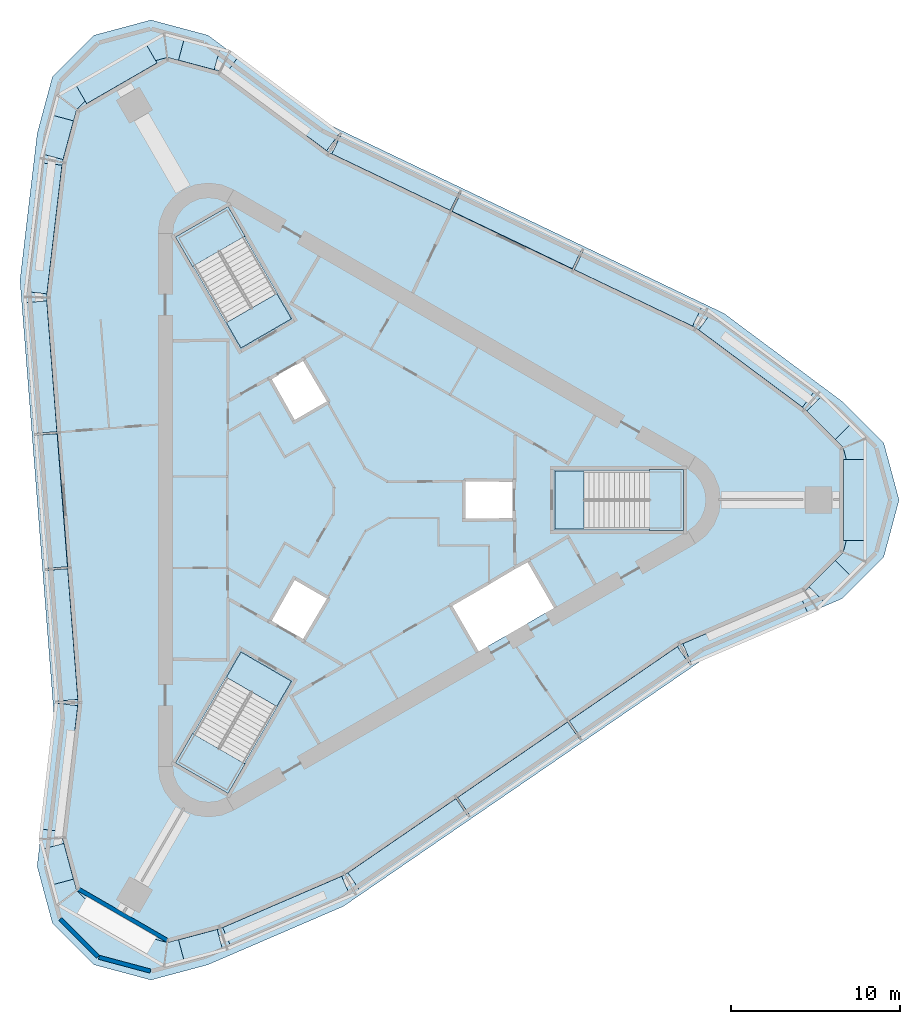
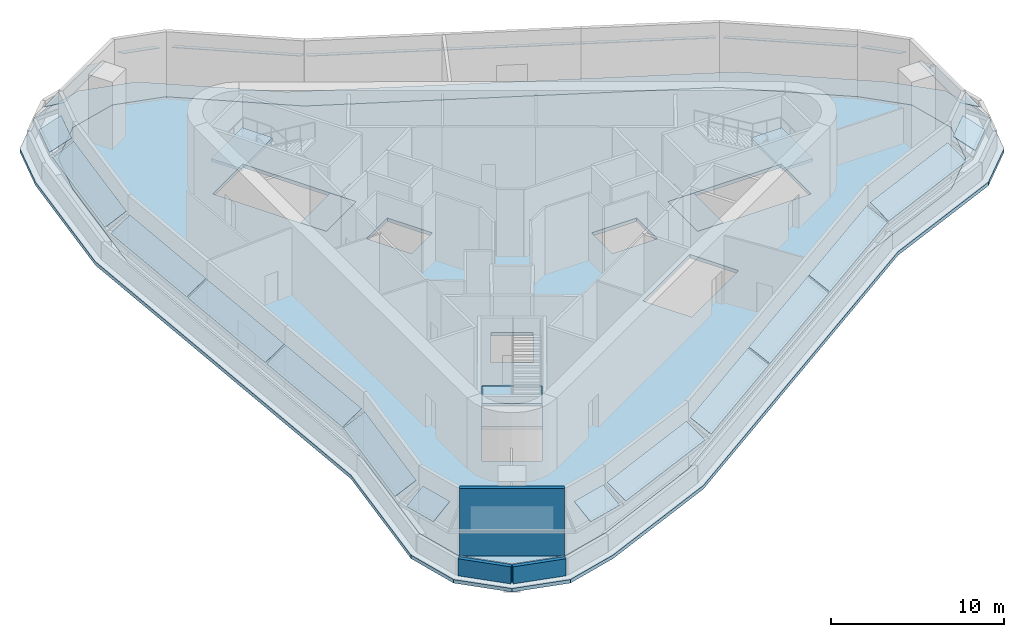
# One storey, part 3 of 8: 23 plates, 8 slabs, 3 walls, 4 elements without a shape of their own.
"""IFC4 building model written with IfcOpenShell, lengths in metres."""

from ifc_helpers import new_model, si_unit, direction, frame, frame_2d, origin, place, context, subcontext, project, spatial, polyline, rectangle, outline, extrude, material, layer, layer_set, type_object, element, aggregate, save


model = new_model("IFC4")

# Units and contexts
model_context = context("Model", 3, precision=1e-05, world=origin(), true_north=direction((0.0, 1.0)))
body_context = subcontext(model_context, "Body", "Model", "MODEL_VIEW")
ifc_project = project(units=[si_unit("LENGTHUNIT", "METRE"), si_unit("AREAUNIT", "SQUARE_METRE"), si_unit("VOLUMEUNIT", "CUBIC_METRE"), si_unit("PLANEANGLEUNIT", "RADIAN"), si_unit("MASSUNIT", "GRAM", prefix="KILO")], contexts=[model_context])

# Site, building, storey
site_placement = place(None, origin())
site = spatial("IfcSite", under=ifc_project, at=site_placement, CompositionType="ELEMENT")
building_placement = place(site_placement, origin())
building = spatial("IfcBuilding", under=site, at=building_placement, Name="Tanit Gate Tower", CompositionType="ELEMENT")
storey_placement = place(building_placement, frame((0.0, 0.0, 415.300048828125)))
storey = spatial("IfcBuildingStorey", under=building, at=storey_placement, Name="L94", CompositionType="ELEMENT", Elevation=415.300048828125)

# Slab
ifc_material_1 = material(Name="Concrete C35/45", Category="concrete")
ifc_layer_1 = layer(ifc_material_1, 0.25)
ifc_layer_set_1 = layer_set([ifc_layer_1], Name="CROWN FLOOR SLAB 250 C35/45")
slab_type_1 = type_object("IfcSlabType", Name="CROWN FLOOR SLAB 250 C35/45", PredefinedType="FLOOR", material=ifc_layer_set_1)
slab_1_placement = place(storey_placement, frame((0.0, 0.0, -0.25)))
element("IfcSlab", 1, at=slab_1_placement, inside=storey, type_object=slab_type_1, Name="FLOOR SLAB L94", PredefinedType="FLOOR", context=body_context, shape_type="SweptSolid", body=[
    extrude(outline(polyline([(26.15771484375, 5.375244140625), (28.429443359375, 3.103515625), (29.260986328125, 0.0), (28.429443359375, -3.103515625), (26.15771484375, -5.375244140625), (18.773681640625, -8.558349609375), (-1.039794921875, -22.15771484375), (-8.423583984375, -25.3408203125), (-11.527099609375, -26.17236328125), (-14.630615234375, -25.3408203125), (-16.90234375, -23.06884765625), (-17.73388671875, -19.965576171875), (-16.798583984375, -11.979248046875), (-18.669189453125, 11.979248046875), (-17.73388671875, 19.965576171875), (-16.90234375, 23.06884765625), (-14.630615234375, 25.3408203125), (-11.527099609375, 26.17236328125), (-8.423583984375, 25.3408203125), (-1.97509765625, 20.53759765625), (19.708984375, 10.178466796875), (26.15771484375, 5.375244140625)]), holes=[polyline([(11.3701171875, -1.72998046875), (11.3701171875, 1.72998046875), (18.929931640625, 1.72998046875), (18.929931640625, -1.72998046875), (11.3701171875, -1.72998046875)]), polyline([(9.82080078125, -3.510009765625), (11.44580078125, -6.324462890625), (6.76904296875, -9.0244140625), (5.14404296875, -6.2099609375), (9.82080078125, -3.510009765625)]), polyline([(6.0, -1.199951171875), (6.0, 1.199951171875), (9.0, 1.199951171875), (9.0, -1.199951171875), (6.0, -1.199951171875)]), polyline([(-1.960693359375, 5.796142578125), (-4.039306640625, 4.59619140625), (-5.539306640625, 7.194091796875), (-3.460693359375, 8.394287109375), (-1.960693359375, 5.796142578125)]), polyline([(-4.039306640625, -4.59619140625), (-1.960693359375, -5.796142578125), (-3.460693359375, -8.394287109375), (-5.539306640625, -7.194091796875), (-4.039306640625, -4.59619140625)]), polyline([(-4.186767578125, 10.711669921875), (-7.18310546875, 8.981689453125), (-10.963134765625, 15.52880859375), (-7.966796875, 17.2587890625), (-4.186767578125, 10.711669921875)]), polyline([(-7.18310546875, -8.981689453125), (-4.186767578125, -10.711669921875), (-7.966796875, -17.2587890625), (-10.963134765625, -15.52880859375), (-7.18310546875, -8.981689453125)])]), origin(), (0.0, 0.0, 1.0), 0.25),
])

# Curtain wall, plates
ifc_material_2 = material(Name="Aluminium bronze anodised and glass", Category="aluminium")
curtain_wall_type = type_object("IfcCurtainWallType", Name="Curtain wall crown roof", PredefinedType="NOTDEFINED", material=ifc_material_2)
curtain_wall_placement = place(storey_placement, origin())
curtain_wall = element("IfcCurtainWall", 2, at=curtain_wall_placement, inside=storey, type_object=curtain_wall_type, Name="Glass roof L94", PredefinedType="NOTDEFINED")
ifc_material_3 = material(Name="Glass tinted laminated safety", Category="glass")
ifc_layer_2 = layer(ifc_material_3, 0.033935546875)
ifc_layer_set_2 = layer_set([ifc_layer_2], Name="Glass panel 34 crown roof")
plate_type = type_object("IfcPlateType", Name="Glass panel 34 crown roof", PredefinedType="CURTAIN_PANEL", material=ifc_layer_set_2)
plate_1_placement = place(storey_placement, frame((26.028076171875, 5.48681640625, 3.498291015625), z_axis=(0.298682954604, 0.401021619781, 0.866008171496), x_axis=(-0.801995366836, 0.597330253356, 0.0)))
plate_1 = element("IfcPlate", 3, at=plate_1_placement, type_object=plate_type, Name="Roof glass panel L94 NE1.1", PredefinedType="CURTAIN_PANEL", context=body_context, shape_type="SweptSolid", body=[
    extrude(outline(polyline([(0.0, 0.0), (7.661858964183359, 0.0), (7.661982734394063, -1.5472709215163334), (0.0001237702107034222, -1.5472709215163334), (0.0, 0.0)])), origin(), (0.0, 0.0, -1.0), 0.033935546875),
])
plate_2_placement = place(storey_placement, frame((19.526123046875, 10.279052734375, 3.498291015625), z_axis=(0.215561586216, 0.451197748608, 0.865998726442), x_axis=(-0.90231211696, 0.431083337171, 0.0)))
plate_2 = element("IfcPlate", 4, at=plate_2_placement, type_object=plate_type, Name="Roof glass panel L94 NE2.1", PredefinedType="CURTAIN_PANEL", context=body_context, shape_type="SweptSolid", body=[
    extrude(outline(polyline([(0.0, 0.0), (7.753789136948641, 4.440892098500626e-16), (7.7537535453816755, -1.547220306748796), (-3.559156696621629e-05, -1.5472203067487964), (0.0, 0.0)])), origin(), (0.0, 0.0, -1.0), 0.033935546875),
])
plate_3_placement = place(storey_placement, frame((12.42138671875, 13.67333984375, 3.498291015625), z_axis=(0.215558237556, 0.451199348522, 0.865998726393), x_axis=(-0.902315316341, 0.431076640397, 0.0)))
plate_3 = element("IfcPlate", 5, at=plate_3_placement, type_object=plate_type, Name="Roof glass panel L94 NE2.2", PredefinedType="CURTAIN_PANEL", context=body_context, shape_type="SweptSolid", body=[
    extrude(outline(polyline([(0.0, 0.0), (7.89040014871947, 0.0), (7.890354612778081, -1.5472203064880827), (-4.55359413887671e-05, -1.547220306488083), (0.0, 0.0)])), origin(), (0.0, 0.0, -1.0), 0.033935546875),
])
plate_4_placement = place(storey_placement, frame((5.193359375, 17.12646484375, 3.498291015625), z_axis=(0.215541888443, 0.451172995663, 0.866016525426), x_axis=(-0.902322833185, 0.431060905992, 6.151361e-06)))
plate_4 = element("IfcPlate", 6, at=plate_4_placement, type_object=plate_type, Name="Roof glass panel L94 NE2.3", PredefinedType="CURTAIN_PANEL", context=body_context, shape_type="SweptSolid", body=[
    extrude(outline(polyline([(0.0, 0.0), (7.753683894927038, 0.0), (7.753715474614487, -1.547411082698643), (-7.365979155380482e-05, -1.5472203044245503), (0.0, 0.0)])), origin(), (0.0, 0.0, -1.0), 0.033935546875),
])
plate_5_placement = place(storey_placement, frame((-2.1162109375, 20.65771484375, 3.498291015625), z_axis=(0.298661918795, 0.400986400394, 0.866031734384), x_axis=(-0.801990388568, 0.597336937285, 0.0)))
plate_5 = element("IfcPlate", 7, at=plate_5_placement, type_object=plate_type, Name="Roof glass panel L94 NE3.1", PredefinedType="CURTAIN_PANEL", context=body_context, shape_type="SweptSolid", body=[
    extrude(outline(polyline([(0.0, 0.0), (7.504826633737003, 0.0), (7.504765772851707, -1.5473972159212432), (-6.086088529492606e-05, -1.547397215921243), (0.0, 0.0)])), origin(), (0.0, 0.0, -1.0), 0.033935546875),
])
plate_6_placement = place(storey_placement, frame((-8.759521484375, 25.443359375, 3.498291015625), z_axis=(0.129417577031, 0.482995428558, 0.86600606623), x_axis=(-0.96593660579, 0.258778811055, 2.3316626e-05)))
plate_6 = element("IfcPlate", 8, at=plate_6_placement, type_object=plate_type, Name="Roof glass panel L94 NW.arc1.1", PredefinedType="CURTAIN_PANEL", context=body_context, shape_type="SweptSolid", body=[
    extrude(outline(polyline([(0.0, 0.0), (2.189819427007829, 0.0), (2.1899027731030647, -1.5473617563359408), (2.016767456837035e-05, -1.5471575302671448), (0.0, 0.0)])), origin(), (0.0, 0.0, -1.0), 0.033935546875),
])
plate_7_placement = place(storey_placement, frame((-12.147216796875, 25.842529296875, 3.498291015625), z_axis=(-0.250002136933, 0.433043046767, 0.866009613789), x_axis=(-0.866033959567, -0.499985180627, 5.50272e-06)))
plate_7 = element("IfcPlate", 9, at=plate_7_placement, type_object=plate_type, Name="Roof glass panel L94 NW.arc2.1", PredefinedType="CURTAIN_PANEL", context=body_context, shape_type="SweptSolid", body=[
    extrude(outline(polyline([(0.0, 0.0), (4.802850294381906, -4.440892098500626e-16), (4.803049566200479, -1.547331507939051), (-1.2162253586579171e-05, -1.5472257964263334), (0.0, 0.0)])), origin(), (0.0, 0.0, -1.0), 0.033935546875),
])
plate_8_placement = place(storey_placement, frame((-17.087890625, 22.4228515625, 3.498291015625), z_axis=(-0.482944090124, 0.129413360896, 0.866035327129), x_axis=(-0.258835619593, -0.965921385015, 0.0)))
plate_8 = element("IfcPlate", 10, at=plate_8_placement, type_object=plate_type, Name="Roof glass panel L94 NW.arc3.1", PredefinedType="CURTAIN_PANEL", context=body_context, shape_type="SweptSolid", body=[
    extrude(outline(polyline([(0.0, 0.0), (2.3703282863063597, 0.0), (2.3702726630093656, -1.5474164756443836), (-5.562329699432267e-05, -1.5474164756443836), (0.0, 0.0)])), origin(), (0.0, 0.0, -1.0), 0.033935546875),
])
plate_9_placement = place(storey_placement, frame((-17.765625, 19.797607421875, 3.498291015625), z_axis=(-0.496613054817, 0.058160310441, 0.866021276918), x_axis=(-0.116329364541, -0.993210692104, -6.049393e-06)))
plate_9 = element("IfcPlate", 11, at=plate_9_placement, type_object=plate_type, Name="Roof glass panel L94 W1.1", PredefinedType="CURTAIN_PANEL", context=body_context, shape_type="SweptSolid", body=[
    extrude(outline(polyline([(0.0, 0.0), (7.6621311019287575, 1.1102230246251565e-16), (7.662001439914197, -1.5472484613650166), (0.00014122178833107308, -1.5474338604204265), (0.0, 0.0)])), origin(), (0.0, 0.0, -1.0), 0.033935546875),
])
plate_10_placement = place(storey_placement, frame((-18.6650390625, 11.770751953125, 3.498291015625), z_axis=(-0.498499156127, -0.038917695615, 0.866016168619), x_axis=(0.077832901287, -0.99696641843, 0.0)))
plate_10 = element("IfcPlate", 12, at=plate_10_placement, type_object=plate_type, Name="Roof glass panel L94 W2.1", PredefinedType="CURTAIN_PANEL", context=body_context, shape_type="SweptSolid", body=[
    extrude(outline(polyline([(0.0, 0.0), (7.753991114538738, 0.0), (7.753943024896617, -1.5473137813356024), (-4.808964212194011e-05, -1.5473137813356026), (0.0, 0.0)])), origin(), (0.0, 0.0, -1.0), 0.033935546875),
])
plate_11_placement = place(storey_placement, frame((-18.05224609375, 3.920654296875, 3.498291015625), z_axis=(-0.498530490508, -0.038919772477, 0.865998037725), x_axis=(0.077844599344, -0.996965505071, 7.200558e-06)))
plate_11 = element("IfcPlate", 13, at=plate_11_placement, type_object=plate_type, Name="Roof glass panel L94 W2.2", PredefinedType="CURTAIN_PANEL", context=body_context, shape_type="SweptSolid", body=[
    extrude(outline(polyline([(0.0, 0.0), (7.890401013387827, 1.1102230246251565e-16), (7.8905750294991694, -1.5473302387044363), (-5.0378641031635154e-05, -1.5471029958453535), (0.0, 0.0)])), origin(), (0.0, 0.0, -1.0), 0.033935546875),
])
plate_12_placement = place(storey_placement, frame((-17.4287109375, -4.0654296875, 3.498291015625), z_axis=(-0.498495235217, -0.038933747586, 0.866017704071), x_axis=(0.077864501776, -0.996963950884, -5.30807e-07)))
plate_12 = element("IfcPlate", 14, at=plate_12_placement, type_object=plate_type, Name="Roof glass panel L94 W2.3", PredefinedType="CURTAIN_PANEL", context=body_context, shape_type="SweptSolid", body=[
    extrude(outline(polyline([(0.0, 0.0), (7.754010120530637, 1.1102230246251565e-16), (7.753919968049472, -1.547313779449287), (0.00015324692090719946, -1.5473302422843584), (0.0, 0.0)])), origin(), (0.0, 0.0, -1.0), 0.033935546875),
])
plate_13_placement = place(storey_placement, frame((-16.83203125, -12.16162109375, 3.498291015625), z_axis=(-0.496609306897, 0.058158153248, 0.866023570992), x_axis=(-0.116327602109, -0.99321089852, -6.995436e-06)))
plate_13 = element("IfcPlate", 15, at=plate_13_placement, type_object=plate_type, Name="Roof glass panel L94 W3.1", PredefinedType="CURTAIN_PANEL", context=body_context, shape_type="SweptSolid", body=[
    extrude(outline(polyline([(0.0, 0.0), (7.504811876916927, 0.0), (7.504680569172868, -1.5472484609643669), (-0.00010290745057402317, -1.5474584569707739), (0.0, 0.0)])), origin(), (0.0, 0.0, -1.0), 0.033935546875),
])
plate_14_placement = place(storey_placement, frame((-17.65478515625, -20.3076171875, 3.498291015625), z_axis=(-0.482978347208, -0.129413000121, 0.866016276711), x_axis=(0.25885682286, -0.965915702696, 2.3315404e-05)))
plate_14 = element("IfcPlate", 16, at=plate_14_placement, type_object=plate_type, Name="Roof glass panel L94 SW.arc1.1", PredefinedType="CURTAIN_PANEL", context=body_context, shape_type="SweptSolid", body=[
    extrude(outline(polyline([(0.0, 0.0), (2.189882614951503, -1.1102230246251565e-16), (2.189890781996292, -1.5474164754993955), (7.136451130691422e-05, -1.5472122529156187), (0.0, 0.0)])), origin(), (0.0, 0.0, -1.0), 0.033935546875),
])
plate_15_placement = place(storey_placement, frame((-10.874755859375, -26.010009765625, 3.498291015625), z_axis=(0.129417937933, -0.482961170686, 0.866025117968), x_axis=(0.965921385015, 0.258835619593, 0.0)))
plate_15 = element("IfcPlate", 17, at=plate_15_placement, type_object=plate_type, Name="Roof glass panel L94 SW.arc3.1", PredefinedType="CURTAIN_PANEL", context=body_context, shape_type="SweptSolid", body=[
    extrude(outline(polyline([(0.0, 0.0), (2.3703282863063597, -1.1102230246251565e-16), (2.3701480889527153, -1.5473617492114577), (-0.00018019735364421807, -1.5473617492114577), (0.0, 0.0)])), origin(), (0.0, 0.0, -1.0), 0.033935546875),
])
plate_16_placement = place(storey_placement, frame((-8.26220703125, -25.284423828125, 3.498291015625), z_axis=(0.197952012445, -0.459174102273, 0.866010476017), x_axis=(0.918300719655, 0.39588355394, 0.0)))
plate_16 = element("IfcPlate", 18, at=plate_16_placement, type_object=plate_type, Name="Roof glass panel L94 SE1.1", PredefinedType="CURTAIN_PANEL", context=body_context, shape_type="SweptSolid", body=[
    extrude(outline(polyline([(0.0, 0.0), (7.661856863745806, 0.0), (7.661909195765645, -1.5472832719730827), (5.233201983987718e-05, -1.547283271973083), (0.0, 0.0)])), origin(), (0.0, 0.0, -1.0), 0.033935546875),
])
plate_17_placement = place(storey_placement, frame((-0.861328125, -22.0498046875, 3.498291015625), z_axis=(0.282961944788, -0.412265146955, 0.866008075255), x_axis=(0.824480804134, 0.565889921817, 0.0)))
plate_17 = element("IfcPlate", 19, at=plate_17_placement, type_object=plate_type, Name="Roof glass panel L94 SE2.1", PredefinedType="CURTAIN_PANEL", context=body_context, shape_type="SweptSolid", body=[
    extrude(outline(polyline([(0.0, 0.0), (7.754051245575646, 0.0), (7.754096529125013, -1.5472704057510631), (4.5283549366947895e-05, -1.5472704057510631), (0.0, 0.0)])), origin(), (0.0, 0.0, -1.0), 0.033935546875),
])
plate_18_placement = place(storey_placement, frame((5.630615234375, -17.593994140625, 3.498291015625), z_axis=(0.282946936166, -0.412241286421, 0.866024337466), x_axis=(0.824474113896, 0.565899669098, 5.523055e-06)))
plate_18 = element("IfcPlate", 20, at=plate_18_placement, type_object=plate_type, Name="Roof glass panel L94 SE2.2", PredefinedType="CURTAIN_PANEL", context=body_context, shape_type="SweptSolid", body=[
    extrude(outline(polyline([(0.0, 0.0), (7.890641274605442, -8.881784197001252e-16), (7.890528284581794, -1.5474447249916334), (2.5169075254154215e-05, -1.5472704053906776), (0.0, 0.0)])), origin(), (0.0, 0.0, -1.0), 0.033935546875),
])
plate_19_placement = place(storey_placement, frame((12.235107421875, -13.060791015625, 3.498291015625), z_axis=(0.282930068805, -0.412218704821, 0.866040596948), x_axis=(0.824480804134, 0.565889921817, 0.0)))
plate_19 = element("IfcPlate", 21, at=plate_19_placement, type_object=plate_type, Name="Roof glass panel L94 SE2.3", PredefinedType="CURTAIN_PANEL", context=body_context, shape_type="SweptSolid", body=[
    extrude(outline(polyline([(0.0, 0.0), (7.754051245575646, 0.0), (7.753958372405819, -1.5474447271479832), (-9.287316982673849e-05, -1.5474447271479832), (0.0, 0.0)])), origin(), (0.0, 0.0, -1.0), 0.033935546875),
])
plate_20_placement = place(storey_placement, frame((18.9482421875, -8.496337890625, 3.498291015625), z_axis=(0.197951429648, -0.459189081421, 0.866002666857), x_axis=(0.918307749738, 0.395867246389, -2.788309e-06)))
plate_20 = element("IfcPlate", 22, at=plate_20_placement, type_object=plate_type, Name="Roof glass panel L94 SE3.1", PredefinedType="CURTAIN_PANEL", context=body_context, shape_type="SweptSolid", body=[
    extrude(outline(polyline([(0.0, 0.0), (7.504936032387172, 8.881784197001252e-16), (7.504790120956988, -1.5471995742019755), (7.828479778081564e-05, -1.5472832706889716), (0.0, 0.0)])), origin(), (0.0, 0.0, -1.0), 0.033935546875),
])
plate_21_placement = place(storey_placement, frame((26.414306640625, -5.135498046875, 3.498291015625), z_axis=(0.353540309023, -0.353596054893, 0.866013325452), x_axis=(0.707162522527, 0.707051035451, 0.0)))
plate_21 = element("IfcPlate", 23, at=plate_21_placement, type_object=plate_type, Name="Roof glass panel L94 E.arc1.1", PredefinedType="CURTAIN_PANEL", context=body_context, shape_type="SweptSolid", body=[
    extrude(outline(polyline([(0.0, 0.0), (2.189855846490021, -1.1102230246251565e-16), (2.189961481583191, -1.547298543200666), (0.0001056350931701866, -1.5472985432006658), (0.0, 0.0)])), origin(), (0.0, 0.0, -1.0), 0.033935546875),
])
plate_22_placement = place(storey_placement, frame((28.453857421875, -2.4013671875, 3.498291015625), z_axis=(0.49999105083, 0.0, 0.866030570529), x_axis=(0.0, 1.0, 0.0)))
plate_22 = element("IfcPlate", 24, at=plate_22_placement, type_object=plate_type, Name="Roof glass panel L94 E.arc2.1", PredefinedType="CURTAIN_PANEL", context=body_context, shape_type="SweptSolid", body=[
    extrude(outline(polyline([(0.0, 0.0), (4.802734375, 0.0), (4.802734375, -1.5473909769802696), (0.0, -1.5473909769802696), (0.0, 0.0)])), origin(), (0.0, 0.0, -1.0), 0.033935546875),
])
plate_23_placement = place(storey_placement, frame((27.962890625, 3.587158203125, 3.498291015625), z_axis=(0.353538227609, 0.353563976934, 0.866027271992), x_axis=(-0.707151839949, 0.707061719376, 1.5767062e-05)))
plate_23 = element("IfcPlate", 25, at=plate_23_placement, type_object=plate_type, Name="Roof glass panel L94 E.arc3.1", PredefinedType="CURTAIN_PANEL", context=body_context, shape_type="SweptSolid", body=[
    extrude(outline(polyline([(0.0, 0.0), (2.37043047768845, 0.0), (2.3701602443865477, -1.5474480375503874), (-9.758880972731317e-05, -1.5472985431272193), (0.0, 0.0)])), origin(), (0.0, 0.0, -1.0), 0.033935546875),
])
aggregate(curtain_wall, [plate_1, plate_2, plate_3, plate_4, plate_5, plate_6, plate_7, plate_8, plate_9, plate_10, plate_11, plate_12, plate_13, plate_14, plate_15, plate_16, plate_17, plate_18, plate_19, plate_20, plate_21, plate_22, plate_23])

# Stair, slab
ifc_material_4 = material(Name="Concrete C40/50", Category="concrete")
stair_type = type_object("IfcStairType", Name="INT-STAIR-EXIT", PredefinedType="HALF_TURN_STAIR", material=ifc_material_4)
stair_1_placement = place(storey_placement, origin())
stair_1 = element("IfcStair", 26, at=stair_1_placement, inside=storey, type_object=stair_type, Name="L94 STAIR S1", PredefinedType="HALF_TURN_STAIR")
ifc_material_5 = material(Name="Concrete C40/50", Category="concrete")
ifc_layer_3 = layer(ifc_material_5, 0.199951171875)
ifc_layer_set_3 = layer_set([ifc_layer_3], Name="INT-STAIR-LANDING")
slab_type_2 = type_object("IfcSlabType", Name="INT-STAIR-LANDING", PredefinedType="LANDING", material=ifc_layer_set_3)
slab_2_placement = place(storey_placement, frame((0.0, 0.0, 2.300048828125)))
slab_2 = element("IfcSlab", 27, at=slab_2_placement, type_object=slab_type_2, Name="S1 landing 1", PredefinedType="LANDING", context=body_context, shape_type="SweptSolid", body=[
    extrude(outline(polyline([(16.985107421875, -1.800048828125), (19.0, -1.800048828125), (19.0, 1.800048828125), (16.985107421875, 1.800048828125), (16.985107421875, -1.800048828125)])), origin(), (0.0, 0.0, 1.0), 0.199951171875),
])
aggregate(stair_1, [slab_2])

# Slab
slab_3_placement = place(storey_placement, frame((0.0, 0.0, -0.199951171875)))
element("IfcSlab", 28, at=slab_3_placement, inside=storey, type_object=slab_type_2, Name="S1 floor landing", PredefinedType="LANDING", context=body_context, shape_type="SweptSolid", body=[
    extrude(outline(polyline([(11.3798828125, -1.719970703125), (13.10498046875, -1.719970703125), (13.10498046875, 1.719970703125), (11.3798828125, 1.719970703125), (11.3798828125, -1.719970703125)])), origin(), (0.0, 0.0, 1.0), 0.199951171875),
])

# Stair, slab
stair_2_placement = place(storey_placement, origin())
stair_2 = element("IfcStair", 29, at=stair_2_placement, inside=storey, type_object=stair_type, Name="L94 STAIR S2", PredefinedType="HALF_TURN_STAIR")
slab_4_placement = place(storey_placement, frame((0.0, 0.0, 2.300048828125)))
slab_4 = element("IfcSlab", 30, at=slab_4_placement, type_object=slab_type_2, Name="S2 landing 1", PredefinedType="LANDING", context=body_context, shape_type="SweptSolid", body=[
    extrude(outline(polyline([(-6.93310546875, 15.608642578125), (-7.941162109375, 17.3544921875), (-11.058837890625, 15.554443359375), (-10.05078125, 13.80859375), (-6.93310546875, 15.608642578125)])), origin(), (0.0, 0.0, 1.0), 0.199951171875),
])
aggregate(stair_2, [slab_4])

# Slab
slab_5_placement = place(storey_placement, frame((0.0, 0.0, -0.199951171875)))
element("IfcSlab", 31, at=slab_5_placement, inside=storey, type_object=slab_type_2, Name="S2 floor landing", PredefinedType="LANDING", context=body_context, shape_type="SweptSolid", body=[
    extrude(outline(polyline([(-4.200439453125, 10.71533203125), (-5.0625, 12.20849609375), (-8.04150390625, 10.48828125), (-7.179443359375, 8.995361328125), (-4.200439453125, 10.71533203125)])), origin(), (0.0, 0.0, 1.0), 0.199951171875),
])

# Stair, slab
stair_3_placement = place(storey_placement, origin())
stair_3 = element("IfcStair", 32, at=stair_3_placement, inside=storey, type_object=stair_type, Name="L94 STAIR S3", PredefinedType="HALF_TURN_STAIR")
slab_6_placement = place(storey_placement, frame((0.0, 0.0, 2.300048828125)))
slab_6 = element("IfcSlab", 33, at=slab_6_placement, type_object=slab_type_2, Name="S3 landing 1", PredefinedType="LANDING", context=body_context, shape_type="SweptSolid", body=[
    extrude(outline(polyline([(-10.05126953125, -13.809326171875), (-11.058837890625, -15.554443359375), (-7.941162109375, -17.3544921875), (-6.93359375, -15.609375), (-10.05126953125, -13.809326171875)])), origin(), (0.0, 0.0, 1.0), 0.199951171875),
])
aggregate(stair_3, [slab_6])

# Slabs
slab_7_placement = place(storey_placement, frame((0.0, 0.0, -0.199951171875)))
element("IfcSlab", 34, at=slab_7_placement, inside=storey, type_object=slab_type_2, Name="S3 floor landing", PredefinedType="LANDING", context=body_context, shape_type="SweptSolid", body=[
    extrude(outline(polyline([(-7.179443359375, -8.995361328125), (-8.0419921875, -10.4892578125), (-5.06298828125, -12.209228515625), (-4.200439453125, -10.71533203125), (-7.179443359375, -8.995361328125)])), origin(), (0.0, 0.0, 1.0), 0.199951171875),
])
ifc_material_6 = material(Name="Concrete C35/45", Category="concrete")
ifc_layer_4 = layer(ifc_material_6, 0.25)
ifc_layer_set_4 = layer_set([ifc_layer_4], Name="TERRACE SLAB 250 C35/45")
slab_type_3 = type_object("IfcSlabType", Name="TERRACE SLAB 250 C35/45", PredefinedType="FLOOR", material=ifc_layer_set_4)
slab_8_placement = place(storey_placement, frame((0.0, 0.0, -0.25)))
element("IfcSlab", 35, at=slab_8_placement, inside=storey, type_object=slab_type_3, Name="TERRACE SLAB L94", PredefinedType="FLOOR", context=body_context, shape_type="SweptSolid", body=[
    extrude(outline(polyline([(30.834228515625, 3.365966796875), (31.736083984375, 0.0), (30.834228515625, -3.365966796875), (28.3701171875, -5.830078125), (20.36181640625, -9.2822265625), (-1.127685546875, -24.031982421875), (-9.135986328125, -27.484130859375), (-12.502197265625, -28.385986328125), (-15.867919921875, -27.484130859375), (-18.33203125, -25.020263671875), (-19.23388671875, -21.654296875), (-18.219482421875, -12.992431640625), (-20.248291015625, 12.992431640625), (-19.23388671875, 21.654296875), (-18.33203125, 25.020263671875), (-15.867919921875, 27.484130859375), (-12.502197265625, 28.385986328125), (-9.135986328125, 27.484130859375), (-2.14208984375, 22.27490234375), (21.376220703125, 11.039306640625), (28.3701171875, 5.830078125), (30.834228515625, 3.365966796875)]), holes=[polyline([(19.708984375, 10.178466796875), (-1.97509765625, 20.53759765625), (-8.423583984375, 25.3408203125), (-11.527099609375, 26.17236328125), (-14.630615234375, 25.3408203125), (-16.90234375, 23.06884765625), (-17.73388671875, 19.965576171875), (-18.669189453125, 11.979248046875), (-16.798583984375, -11.979248046875), (-17.73388671875, -19.965576171875), (-16.90234375, -23.06884765625), (-14.630615234375, -25.3408203125), (-11.527099609375, -26.17236328125), (-8.423583984375, -25.3408203125), (-1.039794921875, -22.15771484375), (18.773681640625, -8.558349609375), (26.15771484375, -5.375244140625), (28.429443359375, -3.103515625), (29.260986328125, 0.0), (28.429443359375, 3.103515625), (26.15771484375, 5.375244140625), (19.708984375, 10.178466796875)])]), origin(), (0.0, 0.0, 1.0), 0.25),
])

# Walls
ifc_material_7 = material(Name="Concrete C30/37 with bronze anodised aluminium cladding", Category="concrete")
ifc_layer_5 = layer(ifc_material_7, 0.239990234375)
ifc_layer_set_5 = layer_set([ifc_layer_5], Name="Facade wall bronze clad 240")
wall_type_1 = type_object("IfcWallType", Name="Facade wall bronze clad 240", PredefinedType="SOLIDWALL", material=ifc_layer_set_5)
wall_1_placement = place(storey_placement, frame((-16.794921875, -23.0068359375, 0.0), z_axis=(0.0, 0.0, 1.0), x_axis=(0.866033863416, -0.499985347202, 0.0)))
element("IfcWall", 36, at=wall_1_placement, inside=storey, type_object=wall_type_1, Name="Bronze-clad facade wall L94 SW.arc2", PredefinedType="SOLIDWALL", context=body_context, shape_type="SweptSolid", body=[
    extrude(rectangle(XDim=6.082763671875, YDim=0.239990234375, at=frame_2d((3.04150390625, 0.0))), origin(), (0.0, 0.0, 1.0), 4.75),
])
ifc_material_8 = material(Name="Concrete C30/37", Category="concrete")
ifc_layer_6 = layer(ifc_material_8, 0.25)
ifc_layer_set_6 = layer_set([ifc_layer_6], Name="Parapet wall 250")
wall_type_2 = type_object("IfcWallType", Name="Parapet wall 250", PredefinedType="PARAPET", material=ifc_layer_set_6)
wall_2_placement = place(storey_placement, frame((-12.534423828125, -27.85986328125, 0.0400390625), z_axis=(0.0, 0.0, 1.0), x_axis=(-0.965929369104, 0.258805822776, 0.0)))
element("IfcWall", 37, at=wall_2_placement, inside=storey, type_object=wall_type_2, Name="Terrace parapet L94 9", PredefinedType="PARAPET", context=body_context, shape_type="SweptSolid", body=[
    extrude(rectangle(XDim=3.14990234375, YDim=0.25, at=frame_2d((1.574951171875, 0.0))), origin(), (0.0, 0.0, 1.0), 1.199951171875),
])
wall_3_placement = place(storey_placement, frame((-15.6328125, -27.01220703125, 0.0400390625), z_axis=(0.0, 0.0, 1.0), x_axis=(-0.70714553632, 0.707068023929, 0.0)))
element("IfcWall", 38, at=wall_3_placement, inside=storey, type_object=wall_type_2, Name="Terrace parapet L94 10", PredefinedType="PARAPET", context=body_context, shape_type="SweptSolid", body=[
    extrude(rectangle(XDim=3.149658203125, YDim=0.25, at=frame_2d((1.57470703125, 0.0))), origin(), (0.0, 0.0, 1.0), 1.199951171875),
])

save(model, "model.ifc")
